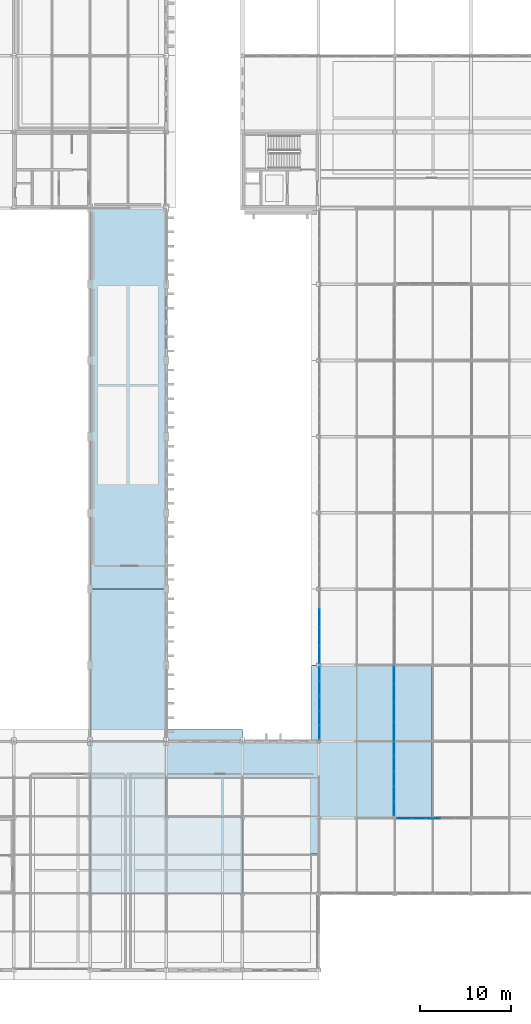
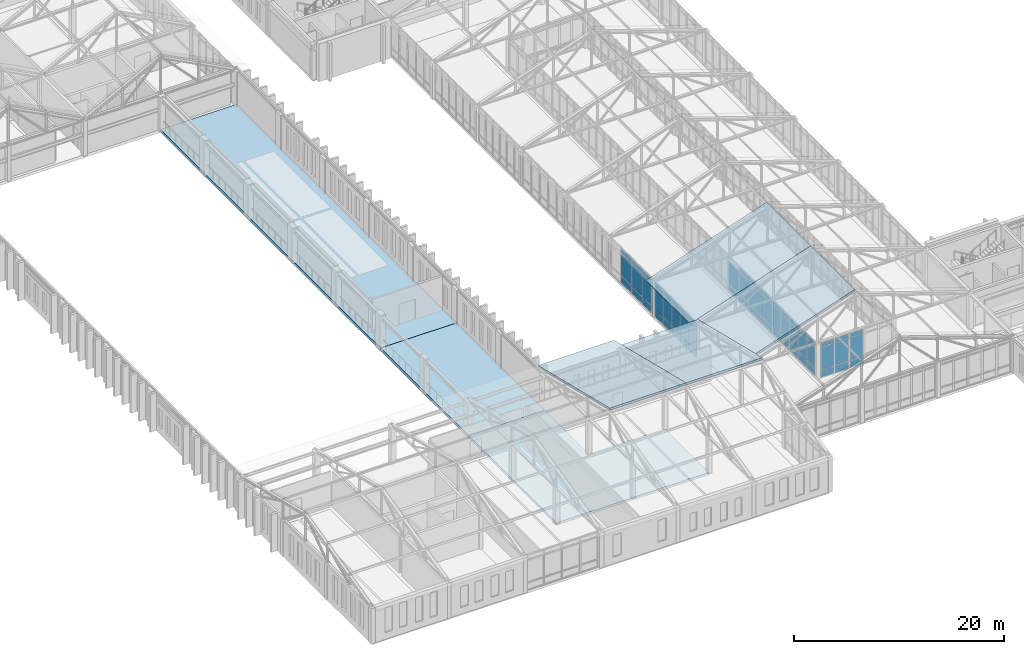
# One storey, part 112 of 192: 59 plates, 7 slabs, 5 elements without a shape of their own.
"""IFC4 building model written with IfcOpenShell, lengths in metres."""

from ifc_helpers import new_model, si_unit, direction, frame, origin, origin_2d, place, context, subcontext, project, spatial, polyline, rectangle, outline, extrude, material, layer, layer_set, type_object, element, aggregate, save


model = new_model("IFC4")

# Units and contexts
model_context = context("Model", 3, precision=1e-05, world=origin(), true_north=direction((0.0, 1.0)))
body_context = subcontext(model_context, "Body", "Model", "MODEL_VIEW")
ifc_project = project(units=[si_unit("LENGTHUNIT", "METRE"), si_unit("AREAUNIT", "SQUARE_METRE"), si_unit("VOLUMEUNIT", "CUBIC_METRE"), si_unit("PLANEANGLEUNIT", "RADIAN"), si_unit("MASSUNIT", "GRAM", prefix="KILO")], contexts=[model_context])

# Site, building, storey
site_placement = place(None, origin())
site = spatial("IfcSite", under=ifc_project, at=site_placement, CompositionType="ELEMENT")
building_placement = place(site_placement, origin())
building = spatial("IfcBuilding", under=site, at=building_placement, Name="Kveldsbrygga Polytechnic", CompositionType="ELEMENT")
storey_placement = place(building_placement, frame((0.0, 0.0, 5.43994140625)))
storey = spatial("IfcBuildingStorey", under=building, at=storey_placement, Name="L01", CompositionType="ELEMENT", Elevation=5.43994140625)

# Curtain wall, plates
ifc_material_1 = material(Name="Anodised aluminium AW-6060", Category="aluminium")
ifc_layer_1 = layer(ifc_material_1, 0.179931640625)
ifc_layer_set_1 = layer_set([ifc_layer_1], Name="Anodised aluminium AW-6060")
curtain_wall_type_1 = type_object("IfcCurtainWallType", Name="CW-LANC-D", PredefinedType="USERDEFINED", material=ifc_layer_set_1)
curtain_wall_1_placement = place(storey_placement, origin())
curtain_wall_1 = element("IfcCurtainWall", 1, at=curtain_wall_1_placement, inside=storey, type_object=curtain_wall_type_1, Name="Curtain Wall CW-L01-Y-07-02", ObjectType="UNITISED CURTAIN WALL", PredefinedType="USERDEFINED")
ifc_material_2 = material(Name="Insulated triple low-E glass", Category="glass")
ifc_layer_2 = layer(ifc_material_2, 0.035888671875)
ifc_layer_set_2 = layer_set([ifc_layer_2], Name="Insulated triple low-E glass")
plate_type_1 = type_object("IfcPlateType", Name="CW-PAN-VIS36", PredefinedType="CURTAIN_PANEL", material=ifc_layer_set_2)
plate_1_placement = place(storey_placement, frame((58.699951171875, 17.834228515625, 0.06005859375), z_axis=(0.0, 0.0, 1.0), x_axis=(0.0, 1.0, 0.0)))
plate_1 = element("IfcPlate", 2, at=plate_1_placement, type_object=plate_type_1, Name="CW-04 panel 1.1", PredefinedType="CURTAIN_PANEL", context=body_context, shape_type="SweptSolid", body=[
    extrude(rectangle(XDim=1.528564453125, YDim=0.035888671875, at=origin_2d()), origin(), (0.0, 0.0, 1.0), 0.81005859375),
])
plate_2_placement = place(storey_placement, frame((58.699951171875, 17.834228515625, 0.93017578125), z_axis=(0.0, 0.0, 1.0), x_axis=(0.0, 1.0, 0.0)))
plate_2 = element("IfcPlate", 3, at=plate_2_placement, type_object=plate_type_1, Name="CW-04 panel 1.2", PredefinedType="CURTAIN_PANEL", context=body_context, shape_type="SweptSolid", body=[
    extrude(rectangle(XDim=1.528564453125, YDim=0.035888671875, at=origin_2d()), origin(), (0.0, 0.0, 1.0), 2.610107421875),
])
plate_3_placement = place(storey_placement, frame((58.699951171875, 17.834228515625, 3.60009765625), z_axis=(0.0, 0.0, 1.0), x_axis=(0.0, 1.0, 0.0)))
plate_3 = element("IfcPlate", 4, at=plate_3_placement, type_object=plate_type_1, Name="CW-04 panel 1.3", PredefinedType="CURTAIN_PANEL", context=body_context, shape_type="SweptSolid", body=[
    extrude(rectangle(XDim=1.528564453125, YDim=0.035888671875, at=origin_2d()), origin(), (0.0, 0.0, 1.0), 0.4599609375),
])
plate_4_placement = place(storey_placement, frame((58.699951171875, 19.45654296875, 0.06005859375), z_axis=(0.0, 0.0, 1.0), x_axis=(0.0, 1.0, 0.0)))
plate_4 = element("IfcPlate", 5, at=plate_4_placement, type_object=plate_type_1, Name="CW-04 panel 2.1", PredefinedType="CURTAIN_PANEL", context=body_context, shape_type="SweptSolid", body=[
    extrude(rectangle(XDim=1.56591796875, YDim=0.035888671875, at=origin_2d()), origin(), (0.0, 0.0, 1.0), 0.81005859375),
])
plate_5_placement = place(storey_placement, frame((58.699951171875, 19.45654296875, 0.93017578125), z_axis=(0.0, 0.0, 1.0), x_axis=(0.0, 1.0, 0.0)))
plate_5 = element("IfcPlate", 6, at=plate_5_placement, type_object=plate_type_1, Name="CW-04 panel 2.2", PredefinedType="CURTAIN_PANEL", context=body_context, shape_type="SweptSolid", body=[
    extrude(rectangle(XDim=1.56591796875, YDim=0.035888671875, at=origin_2d()), origin(), (0.0, 0.0, 1.0), 2.610107421875),
])
plate_6_placement = place(storey_placement, frame((58.699951171875, 19.45654296875, 3.60009765625), z_axis=(0.0, 0.0, 1.0), x_axis=(0.0, 1.0, 0.0)))
plate_6 = element("IfcPlate", 7, at=plate_6_placement, type_object=plate_type_1, Name="CW-04 panel 2.3", PredefinedType="CURTAIN_PANEL", context=body_context, shape_type="SweptSolid", body=[
    extrude(rectangle(XDim=1.56591796875, YDim=0.035888671875, at=origin_2d()), origin(), (0.0, 0.0, 1.0), 0.4599609375),
])
plate_7_placement = place(storey_placement, frame((58.699951171875, 21.097412109375, 0.06005859375), z_axis=(0.0, 0.0, 1.0), x_axis=(0.0, 1.0, 0.0)))
plate_7 = element("IfcPlate", 8, at=plate_7_placement, type_object=plate_type_1, Name="CW-04 panel 3.1", PredefinedType="CURTAIN_PANEL", context=body_context, shape_type="SweptSolid", body=[
    extrude(rectangle(XDim=1.56591796875, YDim=0.035888671875, at=origin_2d()), origin(), (0.0, 0.0, 1.0), 0.81005859375),
])
plate_8_placement = place(storey_placement, frame((58.699951171875, 21.097412109375, 0.93017578125), z_axis=(0.0, 0.0, 1.0), x_axis=(0.0, 1.0, 0.0)))
plate_8 = element("IfcPlate", 9, at=plate_8_placement, type_object=plate_type_1, Name="CW-04 panel 3.2", PredefinedType="CURTAIN_PANEL", context=body_context, shape_type="SweptSolid", body=[
    extrude(rectangle(XDim=1.56591796875, YDim=0.035888671875, at=origin_2d()), origin(), (0.0, 0.0, 1.0), 2.610107421875),
])
plate_9_placement = place(storey_placement, frame((58.699951171875, 21.097412109375, 3.60009765625), z_axis=(0.0, 0.0, 1.0), x_axis=(0.0, 1.0, 0.0)))
plate_9 = element("IfcPlate", 10, at=plate_9_placement, type_object=plate_type_1, Name="CW-04 panel 3.3", PredefinedType="CURTAIN_PANEL", context=body_context, shape_type="SweptSolid", body=[
    extrude(rectangle(XDim=1.56591796875, YDim=0.035888671875, at=origin_2d()), origin(), (0.0, 0.0, 1.0), 0.4599609375),
])
plate_10_placement = place(storey_placement, frame((58.699951171875, 22.738525390625, 0.06005859375), z_axis=(0.0, 0.0, 1.0), x_axis=(0.0, 1.0, 0.0)))
plate_10 = element("IfcPlate", 11, at=plate_10_placement, type_object=plate_type_1, Name="CW-04 panel 4.1", PredefinedType="CURTAIN_PANEL", context=body_context, shape_type="SweptSolid", body=[
    extrude(rectangle(XDim=1.56591796875, YDim=0.035888671875, at=origin_2d()), origin(), (0.0, 0.0, 1.0), 0.81005859375),
])
plate_11_placement = place(storey_placement, frame((58.699951171875, 22.738525390625, 0.93017578125), z_axis=(0.0, 0.0, 1.0), x_axis=(0.0, 1.0, 0.0)))
plate_11 = element("IfcPlate", 12, at=plate_11_placement, type_object=plate_type_1, Name="CW-04 panel 4.2", PredefinedType="CURTAIN_PANEL", context=body_context, shape_type="SweptSolid", body=[
    extrude(rectangle(XDim=1.56591796875, YDim=0.035888671875, at=origin_2d()), origin(), (0.0, 0.0, 1.0), 2.610107421875),
])
plate_12_placement = place(storey_placement, frame((58.699951171875, 22.738525390625, 3.60009765625), z_axis=(0.0, 0.0, 1.0), x_axis=(0.0, 1.0, 0.0)))
plate_12 = element("IfcPlate", 13, at=plate_12_placement, type_object=plate_type_1, Name="CW-04 panel 4.3", PredefinedType="CURTAIN_PANEL", context=body_context, shape_type="SweptSolid", body=[
    extrude(rectangle(XDim=1.56591796875, YDim=0.035888671875, at=origin_2d()), origin(), (0.0, 0.0, 1.0), 0.4599609375),
])
plate_13_placement = place(storey_placement, frame((58.699951171875, 24.36083984375, 0.06005859375), z_axis=(0.0, 0.0, 1.0), x_axis=(0.0, 1.0, 0.0)))
plate_13 = element("IfcPlate", 14, at=plate_13_placement, type_object=plate_type_1, Name="CW-04 panel 5.1", PredefinedType="CURTAIN_PANEL", context=body_context, shape_type="SweptSolid", body=[
    extrude(rectangle(XDim=1.528564453125, YDim=0.035888671875, at=origin_2d()), origin(), (0.0, 0.0, 1.0), 0.81005859375),
])
plate_14_placement = place(storey_placement, frame((58.699951171875, 24.36083984375, 0.93017578125), z_axis=(0.0, 0.0, 1.0), x_axis=(0.0, 1.0, 0.0)))
plate_14 = element("IfcPlate", 15, at=plate_14_placement, type_object=plate_type_1, Name="CW-04 panel 5.2", PredefinedType="CURTAIN_PANEL", context=body_context, shape_type="SweptSolid", body=[
    extrude(rectangle(XDim=1.528564453125, YDim=0.035888671875, at=origin_2d()), origin(), (0.0, 0.0, 1.0), 2.610107421875),
])
plate_15_placement = place(storey_placement, frame((58.699951171875, 24.36083984375, 3.60009765625), z_axis=(0.0, 0.0, 1.0), x_axis=(0.0, 1.0, 0.0)))
plate_15 = element("IfcPlate", 16, at=plate_15_placement, type_object=plate_type_1, Name="CW-04 panel 5.3", PredefinedType="CURTAIN_PANEL", context=body_context, shape_type="SweptSolid", body=[
    extrude(rectangle(XDim=1.528564453125, YDim=0.035888671875, at=origin_2d()), origin(), (0.0, 0.0, 1.0), 0.4599609375),
])
aggregate(curtain_wall_1, [plate_1, plate_2, plate_3, plate_4, plate_5, plate_6, plate_7, plate_8, plate_9, plate_10, plate_11, plate_12, plate_13, plate_14, plate_15])

curtain_wall_2_placement = place(storey_placement, origin())
curtain_wall_2 = element("IfcCurtainWall", 17, at=curtain_wall_2_placement, inside=storey, type_object=curtain_wall_type_1, Name="Curtain Wall CW-L01-Y-06-03", ObjectType="UNITISED CURTAIN WALL", PredefinedType="USERDEFINED")
plate_16_placement = place(storey_placement, frame((50.5, 26.182861328125, 0.06005859375), z_axis=(0.0, 0.0, 1.0), x_axis=(0.0, 1.0, 0.0)))
plate_16 = element("IfcPlate", 18, at=plate_16_placement, type_object=plate_type_1, Name="CW-04 panel 1.1", PredefinedType="CURTAIN_PANEL", context=body_context, shape_type="SweptSolid", body=[
    extrude(rectangle(XDim=1.505615234375, YDim=0.035888671875, at=origin_2d()), origin(), (0.0, 0.0, 1.0), 0.81005859375),
])
plate_17_placement = place(storey_placement, frame((50.5, 26.182861328125, 0.93017578125), z_axis=(0.0, 0.0, 1.0), x_axis=(0.0, 1.0, 0.0)))
plate_17 = element("IfcPlate", 19, at=plate_17_placement, type_object=plate_type_1, Name="CW-04 panel 1.2", PredefinedType="CURTAIN_PANEL", context=body_context, shape_type="SweptSolid", body=[
    extrude(rectangle(XDim=1.505615234375, YDim=0.035888671875, at=origin_2d()), origin(), (0.0, 0.0, 1.0), 2.610107421875),
])
plate_18_placement = place(storey_placement, frame((50.5, 26.182861328125, 3.60009765625), z_axis=(0.0, 0.0, 1.0), x_axis=(0.0, 1.0, 0.0)))
plate_18 = element("IfcPlate", 20, at=plate_18_placement, type_object=plate_type_1, Name="CW-04 panel 1.3", PredefinedType="CURTAIN_PANEL", context=body_context, shape_type="SweptSolid", body=[
    extrude(rectangle(XDim=1.505615234375, YDim=0.035888671875, at=origin_2d()), origin(), (0.0, 0.0, 1.0), 0.4599609375),
])
plate_19_placement = place(storey_placement, frame((50.5, 27.781982421875, 0.06005859375), z_axis=(0.0, 0.0, 1.0), x_axis=(0.0, 1.0, 0.0)))
plate_19 = element("IfcPlate", 21, at=plate_19_placement, type_object=plate_type_1, Name="CW-04 panel 2.1", PredefinedType="CURTAIN_PANEL", context=body_context, shape_type="SweptSolid", body=[
    extrude(rectangle(XDim=1.54296875, YDim=0.035888671875, at=origin_2d()), origin(), (0.0, 0.0, 1.0), 0.81005859375),
])
plate_20_placement = place(storey_placement, frame((50.5, 27.781982421875, 0.93017578125), z_axis=(0.0, 0.0, 1.0), x_axis=(0.0, 1.0, 0.0)))
plate_20 = element("IfcPlate", 22, at=plate_20_placement, type_object=plate_type_1, Name="CW-04 panel 2.2", PredefinedType="CURTAIN_PANEL", context=body_context, shape_type="SweptSolid", body=[
    extrude(rectangle(XDim=1.54296875, YDim=0.035888671875, at=origin_2d()), origin(), (0.0, 0.0, 1.0), 2.610107421875),
])
plate_21_placement = place(storey_placement, frame((50.5, 27.781982421875, 3.60009765625), z_axis=(0.0, 0.0, 1.0), x_axis=(0.0, 1.0, 0.0)))
plate_21 = element("IfcPlate", 23, at=plate_21_placement, type_object=plate_type_1, Name="CW-04 panel 2.3", PredefinedType="CURTAIN_PANEL", context=body_context, shape_type="SweptSolid", body=[
    extrude(rectangle(XDim=1.54296875, YDim=0.035888671875, at=origin_2d()), origin(), (0.0, 0.0, 1.0), 0.4599609375),
])
plate_22_placement = place(storey_placement, frame((50.5, 29.39990234375, 0.06005859375), z_axis=(0.0, 0.0, 1.0), x_axis=(0.0, 1.0, 0.0)))
plate_22 = element("IfcPlate", 24, at=plate_22_placement, type_object=plate_type_1, Name="CW-04 panel 3.1", PredefinedType="CURTAIN_PANEL", context=body_context, shape_type="SweptSolid", body=[
    extrude(rectangle(XDim=1.54296875, YDim=0.035888671875, at=origin_2d()), origin(), (0.0, 0.0, 1.0), 0.81005859375),
])
plate_23_placement = place(storey_placement, frame((50.5, 29.39990234375, 0.93017578125), z_axis=(0.0, 0.0, 1.0), x_axis=(0.0, 1.0, 0.0)))
plate_23 = element("IfcPlate", 25, at=plate_23_placement, type_object=plate_type_1, Name="CW-04 panel 3.2", PredefinedType="CURTAIN_PANEL", context=body_context, shape_type="SweptSolid", body=[
    extrude(rectangle(XDim=1.54296875, YDim=0.035888671875, at=origin_2d()), origin(), (0.0, 0.0, 1.0), 2.610107421875),
])
plate_24_placement = place(storey_placement, frame((50.5, 29.39990234375, 3.60009765625), z_axis=(0.0, 0.0, 1.0), x_axis=(0.0, 1.0, 0.0)))
plate_24 = element("IfcPlate", 26, at=plate_24_placement, type_object=plate_type_1, Name="CW-04 panel 3.3", PredefinedType="CURTAIN_PANEL", context=body_context, shape_type="SweptSolid", body=[
    extrude(rectangle(XDim=1.54296875, YDim=0.035888671875, at=origin_2d()), origin(), (0.0, 0.0, 1.0), 0.4599609375),
])
plate_25_placement = place(storey_placement, frame((50.5, 31.01806640625, 0.06005859375), z_axis=(0.0, 0.0, 1.0), x_axis=(0.0, 1.0, 0.0)))
plate_25 = element("IfcPlate", 27, at=plate_25_placement, type_object=plate_type_1, Name="CW-04 panel 4.1", PredefinedType="CURTAIN_PANEL", context=body_context, shape_type="SweptSolid", body=[
    extrude(rectangle(XDim=1.54296875, YDim=0.035888671875, at=origin_2d()), origin(), (0.0, 0.0, 1.0), 0.81005859375),
])
plate_26_placement = place(storey_placement, frame((50.5, 31.01806640625, 0.93017578125), z_axis=(0.0, 0.0, 1.0), x_axis=(0.0, 1.0, 0.0)))
plate_26 = element("IfcPlate", 28, at=plate_26_placement, type_object=plate_type_1, Name="CW-04 panel 4.2", PredefinedType="CURTAIN_PANEL", context=body_context, shape_type="SweptSolid", body=[
    extrude(rectangle(XDim=1.54296875, YDim=0.035888671875, at=origin_2d()), origin(), (0.0, 0.0, 1.0), 2.610107421875),
])
plate_27_placement = place(storey_placement, frame((50.5, 31.01806640625, 3.60009765625), z_axis=(0.0, 0.0, 1.0), x_axis=(0.0, 1.0, 0.0)))
plate_27 = element("IfcPlate", 29, at=plate_27_placement, type_object=plate_type_1, Name="CW-04 panel 4.3", PredefinedType="CURTAIN_PANEL", context=body_context, shape_type="SweptSolid", body=[
    extrude(rectangle(XDim=1.54296875, YDim=0.035888671875, at=origin_2d()), origin(), (0.0, 0.0, 1.0), 0.4599609375),
])
plate_28_placement = place(storey_placement, frame((50.5, 32.6171875, 0.06005859375), z_axis=(0.0, 0.0, 1.0), x_axis=(0.0, 1.0, 0.0)))
plate_28 = element("IfcPlate", 30, at=plate_28_placement, type_object=plate_type_1, Name="CW-04 panel 5.1", PredefinedType="CURTAIN_PANEL", context=body_context, shape_type="SweptSolid", body=[
    extrude(rectangle(XDim=1.505615234375, YDim=0.035888671875, at=origin_2d()), origin(), (0.0, 0.0, 1.0), 0.81005859375),
])
plate_29_placement = place(storey_placement, frame((50.5, 32.6171875, 0.93017578125), z_axis=(0.0, 0.0, 1.0), x_axis=(0.0, 1.0, 0.0)))
plate_29 = element("IfcPlate", 31, at=plate_29_placement, type_object=plate_type_1, Name="CW-04 panel 5.2", PredefinedType="CURTAIN_PANEL", context=body_context, shape_type="SweptSolid", body=[
    extrude(rectangle(XDim=1.505615234375, YDim=0.035888671875, at=origin_2d()), origin(), (0.0, 0.0, 1.0), 2.610107421875),
])
plate_30_placement = place(storey_placement, frame((50.5, 32.6171875, 3.60009765625), z_axis=(0.0, 0.0, 1.0), x_axis=(0.0, 1.0, 0.0)))
plate_30 = element("IfcPlate", 32, at=plate_30_placement, type_object=plate_type_1, Name="CW-04 panel 5.3", PredefinedType="CURTAIN_PANEL", context=body_context, shape_type="SweptSolid", body=[
    extrude(rectangle(XDim=1.505615234375, YDim=0.035888671875, at=origin_2d()), origin(), (0.0, 0.0, 1.0), 0.4599609375),
])
aggregate(curtain_wall_2, [plate_16, plate_17, plate_18, plate_19, plate_20, plate_21, plate_22, plate_23, plate_24, plate_25, plate_26, plate_27, plate_28, plate_29, plate_30])

curtain_wall_3_placement = place(storey_placement, origin())
curtain_wall_3 = element("IfcCurtainWall", 33, at=curtain_wall_3_placement, inside=storey, type_object=curtain_wall_type_1, Name="Curtain Wall CW-L01-X-07-02", ObjectType="UNITISED CURTAIN WALL", PredefinedType="USERDEFINED")
plate_31_placement = place(storey_placement, frame((59.82080078125, 16.699951171875, 0.06005859375), z_axis=(0.0, 0.0, 1.0), x_axis=(1.0, 0.0, 0.0)))
plate_31 = element("IfcPlate", 34, at=plate_31_placement, type_object=plate_type_1, Name="CW-04 panel 1.1", PredefinedType="CURTAIN_PANEL", context=body_context, shape_type="SweptSolid", body=[
    extrude(rectangle(XDim=1.50146484375, YDim=0.035888671875, at=origin_2d()), origin(), (0.0, 0.0, 1.0), 0.81005859375),
])
plate_32_placement = place(storey_placement, frame((59.82080078125, 16.699951171875, 0.93017578125), z_axis=(0.0, 0.0, 1.0), x_axis=(1.0, 0.0, 0.0)))
plate_32 = element("IfcPlate", 35, at=plate_32_placement, type_object=plate_type_1, Name="CW-04 panel 1.2", PredefinedType="CURTAIN_PANEL", context=body_context, shape_type="SweptSolid", body=[
    extrude(rectangle(XDim=1.50146484375, YDim=0.035888671875, at=origin_2d()), origin(), (0.0, 0.0, 1.0), 2.610107421875),
])
plate_33_placement = place(storey_placement, frame((59.82080078125, 16.699951171875, 3.60009765625), z_axis=(0.0, 0.0, 1.0), x_axis=(1.0, 0.0, 0.0)))
plate_33 = element("IfcPlate", 36, at=plate_33_placement, type_object=plate_type_1, Name="CW-04 panel 1.3", PredefinedType="CURTAIN_PANEL", context=body_context, shape_type="SweptSolid", body=[
    extrude(rectangle(XDim=1.50146484375, YDim=0.035888671875, at=origin_2d()), origin(), (0.0, 0.0, 1.0), 0.4599609375),
])
plate_34_placement = place(storey_placement, frame((61.416015625, 16.699951171875, 0.06005859375), z_axis=(0.0, 0.0, 1.0), x_axis=(1.0, 0.0, 0.0)))
plate_34 = element("IfcPlate", 37, at=plate_34_placement, type_object=plate_type_1, Name="CW-04 panel 2.1", PredefinedType="CURTAIN_PANEL", context=body_context, shape_type="SweptSolid", body=[
    extrude(rectangle(XDim=1.5390625, YDim=0.035888671875, at=origin_2d()), origin(), (0.0, 0.0, 1.0), 0.81005859375),
])
plate_35_placement = place(storey_placement, frame((61.416015625, 16.699951171875, 0.93017578125), z_axis=(0.0, 0.0, 1.0), x_axis=(1.0, 0.0, 0.0)))
plate_35 = element("IfcPlate", 38, at=plate_35_placement, type_object=plate_type_1, Name="CW-04 panel 2.2", PredefinedType="CURTAIN_PANEL", context=body_context, shape_type="SweptSolid", body=[
    extrude(rectangle(XDim=1.5390625, YDim=0.035888671875, at=origin_2d()), origin(), (0.0, 0.0, 1.0), 2.610107421875),
])
plate_36_placement = place(storey_placement, frame((61.416015625, 16.699951171875, 3.60009765625), z_axis=(0.0, 0.0, 1.0), x_axis=(1.0, 0.0, 0.0)))
plate_36 = element("IfcPlate", 39, at=plate_36_placement, type_object=plate_type_1, Name="CW-04 panel 2.3", PredefinedType="CURTAIN_PANEL", context=body_context, shape_type="SweptSolid", body=[
    extrude(rectangle(XDim=1.5390625, YDim=0.035888671875, at=origin_2d()), origin(), (0.0, 0.0, 1.0), 0.4599609375),
])
plate_37_placement = place(storey_placement, frame((63.030029296875, 16.699951171875, 0.06005859375), z_axis=(0.0, 0.0, 1.0), x_axis=(1.0, 0.0, 0.0)))
plate_37 = element("IfcPlate", 40, at=plate_37_placement, type_object=plate_type_1, Name="CW-04 panel 3.1", PredefinedType="CURTAIN_PANEL", context=body_context, shape_type="SweptSolid", body=[
    extrude(rectangle(XDim=1.5390625, YDim=0.035888671875, at=origin_2d()), origin(), (0.0, 0.0, 1.0), 0.81005859375),
])
plate_38_placement = place(storey_placement, frame((63.030029296875, 16.699951171875, 0.93017578125), z_axis=(0.0, 0.0, 1.0), x_axis=(1.0, 0.0, 0.0)))
plate_38 = element("IfcPlate", 41, at=plate_38_placement, type_object=plate_type_1, Name="CW-04 panel 3.2", PredefinedType="CURTAIN_PANEL", context=body_context, shape_type="SweptSolid", body=[
    extrude(rectangle(XDim=1.5390625, YDim=0.035888671875, at=origin_2d()), origin(), (0.0, 0.0, 1.0), 2.610107421875),
])
plate_39_placement = place(storey_placement, frame((63.030029296875, 16.699951171875, 3.60009765625), z_axis=(0.0, 0.0, 1.0), x_axis=(1.0, 0.0, 0.0)))
plate_39 = element("IfcPlate", 42, at=plate_39_placement, type_object=plate_type_1, Name="CW-04 panel 3.3", PredefinedType="CURTAIN_PANEL", context=body_context, shape_type="SweptSolid", body=[
    extrude(rectangle(XDim=1.5390625, YDim=0.035888671875, at=origin_2d()), origin(), (0.0, 0.0, 1.0), 0.4599609375),
])
aggregate(curtain_wall_3, [plate_31, plate_32, plate_33, plate_34, plate_35, plate_36, plate_37, plate_38, plate_39])

ifc_layer_3 = layer(ifc_material_1, 0.199951171875)
ifc_layer_set_3 = layer_set([ifc_layer_3], Name="Anodised aluminium AW-6060")
curtain_wall_type_2 = type_object("IfcCurtainWallType", Name="CW-LANC-E", PredefinedType="USERDEFINED", material=ifc_layer_set_3)
curtain_wall_4_placement = place(storey_placement, origin())
curtain_wall_4 = element("IfcCurtainWall", 43, at=curtain_wall_4_placement, inside=storey, type_object=curtain_wall_type_2, Name="Curtain Wall CW-L01-Y-07-03", ObjectType="UNITISED CURTAIN WALL", PredefinedType="USERDEFINED")
ifc_layer_4 = layer(ifc_material_2, 0.0419921875)
ifc_layer_set_4 = layer_set([ifc_layer_4], Name="Insulated triple low-E glass")
plate_type_2 = type_object("IfcPlateType", Name="CW-PAN-VIS42", PredefinedType="CURTAIN_PANEL", material=ifc_layer_set_4)
plate_40_placement = place(storey_placement, frame((58.699951171875, 26.264892578125, 0.06005859375), z_axis=(0.0, 0.0, 1.0), x_axis=(0.0, 1.0, 0.0)))
plate_40 = element("IfcPlate", 44, at=plate_40_placement, type_object=plate_type_2, Name="CW-05 panel 1.1", PredefinedType="CURTAIN_PANEL", context=body_context, shape_type="SweptSolid", body=[
    extrude(rectangle(XDim=2.010009765625, YDim=0.0419921875, at=origin_2d()), origin(), (0.0, 0.0, 1.0), 0.81005859375),
])
plate_41_placement = place(storey_placement, frame((58.699951171875, 26.264892578125, 0.93017578125), z_axis=(0.0, 0.0, 1.0), x_axis=(0.0, 1.0, 0.0)))
plate_41 = element("IfcPlate", 45, at=plate_41_placement, type_object=plate_type_2, Name="CW-05 panel 1.2", PredefinedType="CURTAIN_PANEL", context=body_context, shape_type="SweptSolid", body=[
    extrude(rectangle(XDim=2.010009765625, YDim=0.0419921875, at=origin_2d()), origin(), (0.0, 0.0, 1.0), 2.610107421875),
])
plate_42_placement = place(storey_placement, frame((58.699951171875, 26.264892578125, 3.60009765625), z_axis=(0.0, 0.0, 1.0), x_axis=(0.0, 1.0, 0.0)))
plate_42 = element("IfcPlate", 46, at=plate_42_placement, type_object=plate_type_2, Name="CW-05 panel 1.3", PredefinedType="CURTAIN_PANEL", context=body_context, shape_type="SweptSolid", body=[
    extrude(rectangle(XDim=2.010009765625, YDim=0.0419921875, at=origin_2d()), origin(), (0.0, 0.0, 1.0), 0.4599609375),
])
plate_43_placement = place(storey_placement, frame((58.699951171875, 28.35009765625, 0.06005859375), z_axis=(0.0, 0.0, 1.0), x_axis=(0.0, 1.0, 0.0)))
plate_43 = element("IfcPlate", 47, at=plate_43_placement, type_object=plate_type_2, Name="CW-05 panel 2.1", PredefinedType="CURTAIN_PANEL", context=body_context, shape_type="SweptSolid", body=[
    extrude(rectangle(XDim=2.0400390625, YDim=0.0419921875, at=origin_2d()), origin(), (0.0, 0.0, 1.0), 0.81005859375),
])
plate_44_placement = place(storey_placement, frame((58.699951171875, 28.35009765625, 0.93017578125), z_axis=(0.0, 0.0, 1.0), x_axis=(0.0, 1.0, 0.0)))
plate_44 = element("IfcPlate", 48, at=plate_44_placement, type_object=plate_type_2, Name="CW-05 panel 2.2", PredefinedType="CURTAIN_PANEL", context=body_context, shape_type="SweptSolid", body=[
    extrude(rectangle(XDim=2.0400390625, YDim=0.0419921875, at=origin_2d()), origin(), (0.0, 0.0, 1.0), 2.610107421875),
])
plate_45_placement = place(storey_placement, frame((58.699951171875, 28.35009765625, 3.60009765625), z_axis=(0.0, 0.0, 1.0), x_axis=(0.0, 1.0, 0.0)))
plate_45 = element("IfcPlate", 49, at=plate_45_placement, type_object=plate_type_2, Name="CW-05 panel 2.3", PredefinedType="CURTAIN_PANEL", context=body_context, shape_type="SweptSolid", body=[
    extrude(rectangle(XDim=2.0400390625, YDim=0.0419921875, at=origin_2d()), origin(), (0.0, 0.0, 1.0), 0.4599609375),
])
plate_46_placement = place(storey_placement, frame((58.699951171875, 30.449951171875, 0.06005859375), z_axis=(0.0, 0.0, 1.0), x_axis=(0.0, 1.0, 0.0)))
plate_46 = element("IfcPlate", 50, at=plate_46_placement, type_object=plate_type_2, Name="CW-05 panel 3.1", PredefinedType="CURTAIN_PANEL", context=body_context, shape_type="SweptSolid", body=[
    extrude(rectangle(XDim=2.0400390625, YDim=0.0419921875, at=origin_2d()), origin(), (0.0, 0.0, 1.0), 0.81005859375),
])
plate_47_placement = place(storey_placement, frame((58.699951171875, 30.449951171875, 0.93017578125), z_axis=(0.0, 0.0, 1.0), x_axis=(0.0, 1.0, 0.0)))
plate_47 = element("IfcPlate", 51, at=plate_47_placement, type_object=plate_type_2, Name="CW-05 panel 3.2", PredefinedType="CURTAIN_PANEL", context=body_context, shape_type="SweptSolid", body=[
    extrude(rectangle(XDim=2.0400390625, YDim=0.0419921875, at=origin_2d()), origin(), (0.0, 0.0, 1.0), 2.610107421875),
])
plate_48_placement = place(storey_placement, frame((58.699951171875, 30.449951171875, 3.60009765625), z_axis=(0.0, 0.0, 1.0), x_axis=(0.0, 1.0, 0.0)))
plate_48 = element("IfcPlate", 52, at=plate_48_placement, type_object=plate_type_2, Name="CW-05 panel 3.3", PredefinedType="CURTAIN_PANEL", context=body_context, shape_type="SweptSolid", body=[
    extrude(rectangle(XDim=2.0400390625, YDim=0.0419921875, at=origin_2d()), origin(), (0.0, 0.0, 1.0), 0.4599609375),
])
plate_49_placement = place(storey_placement, frame((58.699951171875, 32.534912109375, 0.06005859375), z_axis=(0.0, 0.0, 1.0), x_axis=(0.0, 1.0, 0.0)))
plate_49 = element("IfcPlate", 53, at=plate_49_placement, type_object=plate_type_2, Name="CW-05 panel 4.1", PredefinedType="CURTAIN_PANEL", context=body_context, shape_type="SweptSolid", body=[
    extrude(rectangle(XDim=2.010009765625, YDim=0.0419921875, at=origin_2d()), origin(), (0.0, 0.0, 1.0), 0.81005859375),
])
plate_50_placement = place(storey_placement, frame((58.699951171875, 32.534912109375, 0.93017578125), z_axis=(0.0, 0.0, 1.0), x_axis=(0.0, 1.0, 0.0)))
plate_50 = element("IfcPlate", 54, at=plate_50_placement, type_object=plate_type_2, Name="CW-05 panel 4.2", PredefinedType="CURTAIN_PANEL", context=body_context, shape_type="SweptSolid", body=[
    extrude(rectangle(XDim=2.010009765625, YDim=0.0419921875, at=origin_2d()), origin(), (0.0, 0.0, 1.0), 2.610107421875),
])
aggregate(curtain_wall_4, [plate_40, plate_41, plate_42, plate_43, plate_44, plate_45, plate_46, plate_47, plate_48, plate_49, plate_50])

curtain_wall_5_placement = place(storey_placement, origin())
curtain_wall_5 = element("IfcCurtainWall", 55, at=curtain_wall_5_placement, inside=storey, type_object=curtain_wall_type_2, Name="Curtain Wall CW-L01-Y-06-04", ObjectType="UNITISED CURTAIN WALL", PredefinedType="USERDEFINED")
plate_51_placement = place(storey_placement, frame((50.5, 34.78125, 0.06005859375), z_axis=(0.0, 0.0, 1.0), x_axis=(0.0, 1.0, 0.0)))
plate_51 = element("IfcPlate", 56, at=plate_51_placement, type_object=plate_type_2, Name="CW-05 panel 1.1", PredefinedType="CURTAIN_PANEL", context=body_context, shape_type="SweptSolid", body=[
    extrude(rectangle(XDim=1.9326171875, YDim=0.0419921875, at=origin_2d()), origin(), (0.0, 0.0, 1.0), 0.81005859375),
])
plate_52_placement = place(storey_placement, frame((50.5, 34.78125, 0.93017578125), z_axis=(0.0, 0.0, 1.0), x_axis=(0.0, 1.0, 0.0)))
plate_52 = element("IfcPlate", 57, at=plate_52_placement, type_object=plate_type_2, Name="CW-05 panel 1.2", PredefinedType="CURTAIN_PANEL", context=body_context, shape_type="SweptSolid", body=[
    extrude(rectangle(XDim=1.9326171875, YDim=0.0419921875, at=origin_2d()), origin(), (0.0, 0.0, 1.0), 2.610107421875),
])
plate_53_placement = place(storey_placement, frame((50.5, 34.78125, 3.60009765625), z_axis=(0.0, 0.0, 1.0), x_axis=(0.0, 1.0, 0.0)))
plate_53 = element("IfcPlate", 58, at=plate_53_placement, type_object=plate_type_2, Name="CW-05 panel 1.3", PredefinedType="CURTAIN_PANEL", context=body_context, shape_type="SweptSolid", body=[
    extrude(rectangle(XDim=1.9326171875, YDim=0.0419921875, at=origin_2d()), origin(), (0.0, 0.0, 1.0), 0.4599609375),
])
plate_54_placement = place(storey_placement, frame((50.5, 36.788818359375, 0.06005859375), z_axis=(0.0, 0.0, 1.0), x_axis=(0.0, 1.0, 0.0)))
plate_54 = element("IfcPlate", 59, at=plate_54_placement, type_object=plate_type_2, Name="CW-05 panel 2.1", PredefinedType="CURTAIN_PANEL", context=body_context, shape_type="SweptSolid", body=[
    extrude(rectangle(XDim=1.96240234375, YDim=0.0419921875, at=origin_2d()), origin(), (0.0, 0.0, 1.0), 0.81005859375),
])
plate_55_placement = place(storey_placement, frame((50.5, 36.788818359375, 0.93017578125), z_axis=(0.0, 0.0, 1.0), x_axis=(0.0, 1.0, 0.0)))
plate_55 = element("IfcPlate", 60, at=plate_55_placement, type_object=plate_type_2, Name="CW-05 panel 2.2", PredefinedType="CURTAIN_PANEL", context=body_context, shape_type="SweptSolid", body=[
    extrude(rectangle(XDim=1.96240234375, YDim=0.0419921875, at=origin_2d()), origin(), (0.0, 0.0, 1.0), 2.610107421875),
])
plate_56_placement = place(storey_placement, frame((50.5, 36.788818359375, 3.60009765625), z_axis=(0.0, 0.0, 1.0), x_axis=(0.0, 1.0, 0.0)))
plate_56 = element("IfcPlate", 61, at=plate_56_placement, type_object=plate_type_2, Name="CW-05 panel 2.3", PredefinedType="CURTAIN_PANEL", context=body_context, shape_type="SweptSolid", body=[
    extrude(rectangle(XDim=1.96240234375, YDim=0.0419921875, at=origin_2d()), origin(), (0.0, 0.0, 1.0), 0.4599609375),
])
plate_57_placement = place(storey_placement, frame((50.5, 38.811279296875, 0.06005859375), z_axis=(0.0, 0.0, 1.0), x_axis=(0.0, 1.0, 0.0)))
plate_57 = element("IfcPlate", 62, at=plate_57_placement, type_object=plate_type_2, Name="CW-05 panel 3.1", PredefinedType="CURTAIN_PANEL", context=body_context, shape_type="SweptSolid", body=[
    extrude(rectangle(XDim=1.96240234375, YDim=0.0419921875, at=origin_2d()), origin(), (0.0, 0.0, 1.0), 0.81005859375),
])
plate_58_placement = place(storey_placement, frame((50.5, 38.811279296875, 0.93017578125), z_axis=(0.0, 0.0, 1.0), x_axis=(0.0, 1.0, 0.0)))
plate_58 = element("IfcPlate", 63, at=plate_58_placement, type_object=plate_type_2, Name="CW-05 panel 3.2", PredefinedType="CURTAIN_PANEL", context=body_context, shape_type="SweptSolid", body=[
    extrude(rectangle(XDim=1.96240234375, YDim=0.0419921875, at=origin_2d()), origin(), (0.0, 0.0, 1.0), 2.610107421875),
])
plate_59_placement = place(storey_placement, frame((50.5, 38.811279296875, 3.60009765625), z_axis=(0.0, 0.0, 1.0), x_axis=(0.0, 1.0, 0.0)))
plate_59 = element("IfcPlate", 64, at=plate_59_placement, type_object=plate_type_2, Name="CW-05 panel 3.3", PredefinedType="CURTAIN_PANEL", context=body_context, shape_type="SweptSolid", body=[
    extrude(rectangle(XDim=1.96240234375, YDim=0.0419921875, at=origin_2d()), origin(), (0.0, 0.0, 1.0), 0.4599609375),
])
aggregate(curtain_wall_5, [plate_51, plate_52, plate_53, plate_54, plate_55, plate_56, plate_57, plate_58, plate_59])

# Slabs
ifc_material_3 = material(Name="Concrete C35/45", Category="concrete")
ifc_layer_5 = layer(ifc_material_3, 0.219970703125)
ifc_layer_set_5 = layer_set([ifc_layer_5], Name="Concrete C35/45")
slab_type_1 = type_object("IfcSlabType", Name="SLB-ROOF-220", PredefinedType="ROOF", material=ifc_layer_set_5)
slab_1_placement = place(storey_placement, frame((33.60009765625, 12.781982421875, 7.773681640625), z_axis=(0.0, 0.236945846339, 0.971522859177), x_axis=(1.0, 0.0, 0.0)))
element("IfcSlab", 65, at=slab_1_placement, inside=storey, type_object=slab_type_1, Name="Pitched Roof Slab V5S-RSLB-5-2", PredefinedType="ROOF", context=body_context, shape_type="SweptSolid", body=[
    extrude(outline(polyline([(0.0, 0.0), (8.39990234375, 0.0), (8.39990234375, 14.140724512666859), (0.0, 14.140724512666859), (0.0, 0.0)])), origin(), (0.0, 0.0, -1.0), 0.219970703125),
])
slab_2_placement = place(storey_placement, frame((42.0, 12.781982421875, 7.773681640625), z_axis=(0.0, 0.23695440278, 0.971520772296), x_axis=(1.0, 0.0, 0.0)))
element("IfcSlab", 66, at=slab_2_placement, inside=storey, type_object=slab_type_1, Name="Pitched Roof Slab V5S-RSLB-6-2", PredefinedType="ROOF", context=body_context, shape_type="SweptSolid", body=[
    extrude(outline(polyline([(0.0, 0.0), (8.39990234375, 0.0), (8.39990234375, 12.648299746031249), (0.0, 12.648299746031249), (0.0, 0.0)])), origin(), (0.0, 0.0, -1.0), 0.219970703125),
])
slab_3_placement = place(storey_placement, frame((49.60009765625, 16.800048828125, 4.45947265625), z_axis=(-0.316227766017, 0.0, 0.948683298051), x_axis=(0.948683298051, 0.0, 0.316227766017)))
element("IfcSlab", 67, at=slab_3_placement, inside=storey, type_object=slab_type_1, Name="Pitched Roof Slab V5C-RSLB-2-1", PredefinedType="ROOF", context=body_context, shape_type="SweptSolid", body=[
    extrude(outline(polyline([(0.0, 0.0), (14.030290995664053, 0.0), (14.030290995664053, 8.399902343750002), (0.0, 8.399902343750002), (0.0, 0.0)])), origin(), (0.0, 0.0, -1.0), 0.219970703125),
])
slab_4_placement = place(storey_placement, frame((49.60009765625, 25.199951171875, 4.45947265625), z_axis=(-0.316227766017, 0.0, 0.948683298051), x_axis=(0.948683298051, 0.0, 0.316227766017)))
element("IfcSlab", 68, at=slab_4_placement, inside=storey, type_object=slab_type_1, Name="Pitched Roof Slab V5C-RSLB-3-1", PredefinedType="ROOF", context=body_context, shape_type="SweptSolid", body=[
    extrude(outline(polyline([(0.0, 0.0), (14.030290995664053, 0.0), (14.030290995664053, 8.400146484375002), (0.0, 8.400146484375002), (0.0, 0.0)])), origin(), (0.0, 0.0, -1.0), 0.219970703125),
])
ifc_layer_6 = layer(ifc_material_3, 0.280029296875)
ifc_layer_set_6 = layer_set([ifc_layer_6], Name="Concrete C35/45")
slab_type_2 = type_object("IfcSlabType", Name="SLB-STD-280", PredefinedType="FLOOR", material=ifc_layer_set_6)
slab_5_placement = place(storey_placement, frame((0.0, 0.0, -0.280029296875)))
element("IfcSlab", 69, at=slab_5_placement, inside=storey, type_object=slab_type_2, Name="Slab SLB-L01-V5-SW-L03-1", PredefinedType="FLOOR", context=body_context, shape_type="SweptSolid", body=[
    extrude(outline(polyline([(25.199951171875, 8.39990234375), (25.199951171875, 16.800048828125), (25.199951171875, 25.199951171875), (33.60009765625, 25.199951171875), (33.60009765625, 16.800048828125), (42.0, 16.800048828125), (42.0, 8.39990234375), (33.60009765625, 8.39990234375), (25.199951171875, 8.39990234375)])), origin(), (0.0, 0.0, 1.0), 0.280029296875),
])
ifc_layer_7 = layer(ifc_material_3, 0.340087890625)
ifc_layer_set_7 = layer_set([ifc_layer_7], Name="Concrete C35/45")
slab_type_3 = type_object("IfcSlabType", Name="SLB-WORK-340", PredefinedType="FLOOR", material=ifc_layer_set_7)
slab_6_placement = place(storey_placement, frame((0.0, 0.0, -0.33984375)))
element("IfcSlab", 70, at=slab_6_placement, inside=storey, type_object=slab_type_3, Name="Slab SLB-L01-V1-Z1-1", PredefinedType="FLOOR", context=body_context, shape_type="SweptSolid", body=[
    extrude(outline(polyline([(33.60009765625, 25.199951171875), (25.199951171875, 25.199951171875), (25.199951171875, 33.60009765625), (25.199951171875, 42.0), (33.60009765625, 42.0), (33.60009765625, 33.60009765625), (33.60009765625, 25.199951171875)])), origin(), (0.0, 0.0, 1.0), 0.33984375),
])
slab_7_placement = place(storey_placement, frame((0.0, 0.0, -0.33984375)))
element("IfcSlab", 71, at=slab_7_placement, inside=storey, type_object=slab_type_3, Name="Slab SLB-L01-V1-Z4-1", PredefinedType="FLOOR", context=body_context, shape_type="SweptSolid", body=[
    extrude(outline(polyline([(25.199951171875, 42.0), (25.199951171875, 50.39990234375), (25.199951171875, 58.800048828125), (25.199951171875, 67.199951171875), (25.199951171875, 75.60009765625), (25.199951171875, 84.0), (33.60009765625, 84.0), (33.60009765625, 75.60009765625), (33.60009765625, 67.199951171875), (33.60009765625, 58.800048828125), (33.60009765625, 50.39990234375), (33.60009765625, 42.0), (25.199951171875, 42.0)])), origin(), (0.0, 0.0, 1.0), 0.33984375),
])

save(model, "model.ifc")
